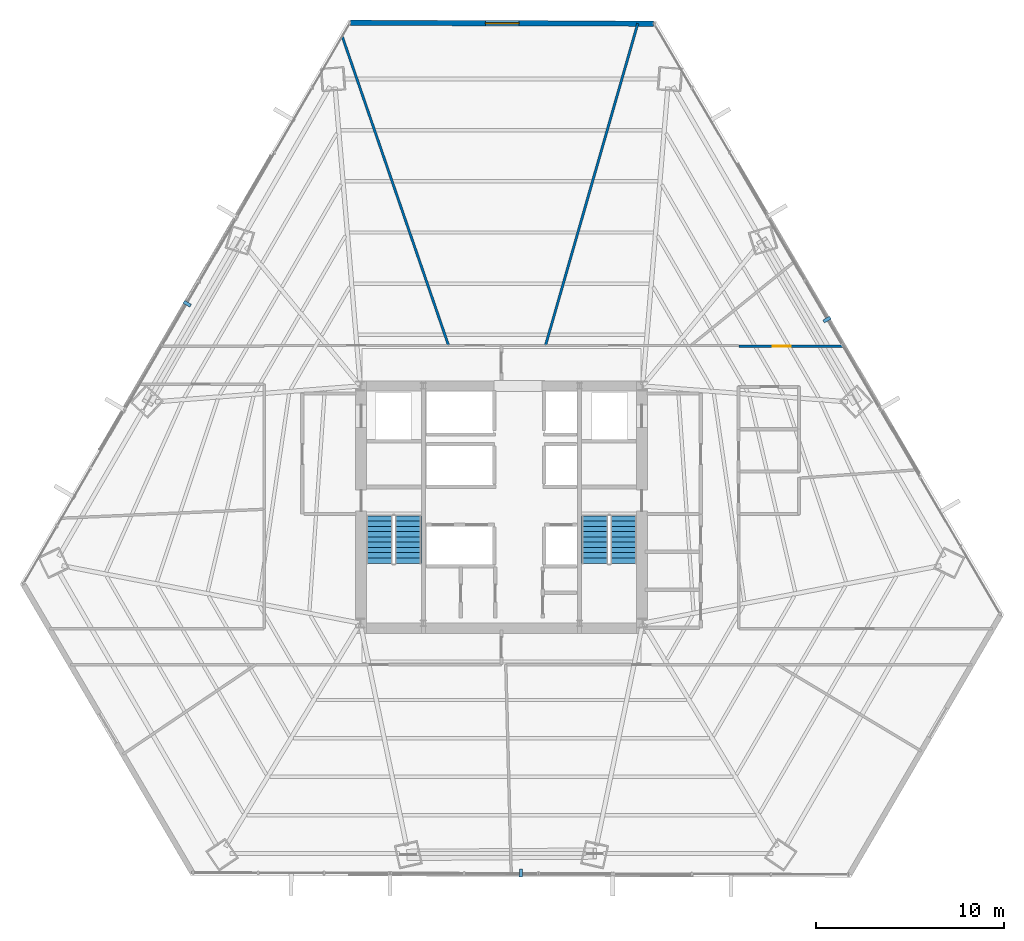
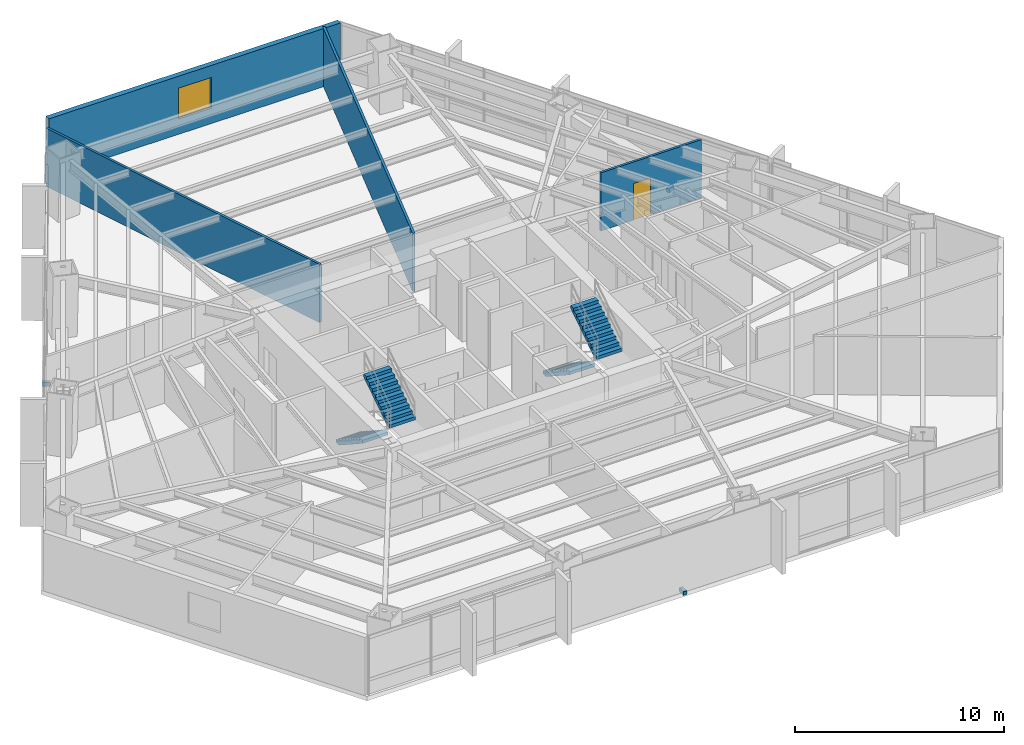
# One storey, part 30 of 33: 4 stair flights, 4 walls, 3 discrete accessories, 1 door, 1 window, 2 openings, 2 elements without a shape of their own.
"""IFC4 building model written with IfcOpenShell, lengths in metres."""

from ifc_helpers import new_model, si_unit, direction, frame, frame_2d, origin, origin_2d, place, context, subcontext, project, spatial, polyline, rectangle, outline, extrude, source, transform, mapped, material, layer, layer_set, type_object, type_shapes, element, fill, aggregate, save


model = new_model("IFC4")

# Units and contexts
model_context = context("Model", 3, precision=1e-05, world=origin(), true_north=direction((0.0, 1.0)))
body_context = subcontext(model_context, "Body", "Model", "MODEL_VIEW")
ifc_project = project(units=[si_unit("LENGTHUNIT", "METRE"), si_unit("AREAUNIT", "SQUARE_METRE"), si_unit("VOLUMEUNIT", "CUBIC_METRE"), si_unit("PLANEANGLEUNIT", "RADIAN"), si_unit("MASSUNIT", "GRAM", prefix="KILO")], contexts=[model_context])

# Site, building, storey
site_placement = place(None, origin())
site = spatial("IfcSite", under=ifc_project, at=site_placement, CompositionType="ELEMENT")
building_placement = place(site_placement, origin())
building = spatial("IfcBuilding", under=site, at=building_placement, Name="Caelisora Broadcast Tower", CompositionType="ELEMENT")
storey_placement = place(building_placement, frame((0.0, 0.0, 42.199951171875)))
storey = spatial("IfcBuildingStorey", under=building, at=storey_placement, Name="L10", CompositionType="ELEMENT", Elevation=42.199951171875)

# Wall, opening, window
ifc_material_1 = material(Name="Insulated Terracotta Spandrel Wall System", Category="masonry")
ifc_layer_1 = layer(ifc_material_1, 0.280029296875, Name="Insulated Terracotta Spandrel Wall System")
ifc_layer_set_1 = layer_set([ifc_layer_1], Name="Insulated Terracotta Spandrel Wall System")
wall_type_1 = type_object("IfcWallType", Name="EW1", PredefinedType="STANDARD", material=ifc_layer_set_1)
wall_1_placement = place(storey_placement, frame((29.993896484375, 49.288818359375, 0.0), z_axis=(0.0, 0.0, 1.0), x_axis=(0.999995974555, -0.002837406073, 0.0)))
wall_1 = element("IfcWall", 1, at=wall_1_placement, inside=storey, type_object=wall_type_1, Name="L10 exterior envelope wall EW1", PredefinedType="STANDARD", context=body_context, shape_type="SweptSolid", body=[
    extrude(rectangle(XDim=16.090087890625, YDim=0.280029296875, at=frame_2d((8.044921875, 0.0))), origin(), (0.0, 0.0, 1.0), 3.400146484375),
])
opening_1_placement = place(wall_1_placement, frame((7.14990234375, 0.0, 0.89990234375)))
opening_1 = element("IfcOpeningElement", 2, at=opening_1_placement, cuts=wall_1, Name="Opening W01", PredefinedType="OPENING", context=body_context, shape_type="SweptSolid", body=[
    extrude(rectangle(XDim=1.800048828125, YDim=1.800048828125, at=frame_2d((0.89990234375, 0.89990234375))), frame((0.0, 0.152099609375, 0.0), z_axis=(0.0, -1.0, 0.0), x_axis=(1.0, 0.0, 0.0)), (0.0, 0.0, 1.0), 0.303955078125),
])
ifc_material_2 = material(Name="Double Glazed Terracotta-Framed Vision Window", Category="glass")
window_type = type_object("IfcWindowType", Name="W01", PartitioningType="SINGLE_PANEL", PredefinedType="WINDOW", material=ifc_material_2)
window_placement = place(opening_1_placement, origin())
window = element("IfcWindow", 3, at=window_placement, inside=storey, type_object=window_type, Name="L10 window W01 (L10-WN-CH8)", OverallHeight=1.800048828125, OverallWidth=1.800048828125, PartitioningType="SINGLE_PANEL", PredefinedType="WINDOW", context=body_context, shape_type="SweptSolid", body=[
    extrude(rectangle(XDim=1.800048828125, YDim=1.800048828125, at=frame_2d((0.89990234375, 0.89990234375))), frame((0.0, 0.030029296875, 0.0), z_axis=(0.0, -1.0, 0.0), x_axis=(1.0, 0.0, 0.0)), (0.0, 0.0, 1.0), 0.06005859375),
])
fill(opening_1, window)

# Walls
ifc_material_3 = material(Name="Acoustic Steel-Stud Plasterboard Partition", Category="gypsum")
ifc_layer_2 = layer(ifc_material_3, 0.1298828125, Name="Acoustic Steel-Stud Plasterboard Partition")
ifc_layer_set_2 = layer_set([ifc_layer_2], Name="Acoustic Steel-Stud Plasterboard Partition")
wall_type_2 = type_object("IfcWallType", Name="PW3", PredefinedType="PARTITIONING", material=ifc_layer_set_2)
wall_2_placement = place(storey_placement, frame((40.341064453125, 32.155029296875, 0.0), z_axis=(0.0, 0.0, 1.0), x_axis=(0.275547812752, 0.961287367486, 0.0)))
element("IfcWall", 4, at=wall_2_placement, inside=storey, type_object=wall_type_2, Name="L10 internal partition PW3", PredefinedType="PARTITIONING", context=body_context, shape_type="SweptSolid", body=[
    extrude(rectangle(XDim=17.7841796875, YDim=0.1298828125, at=frame_2d((8.89208984375, 0.0))), origin(), (0.0, 0.0, 1.0), 3.400146484375),
])
wall_3_placement = place(storey_placement, frame((29.540771484375, 48.57177734375, 0.0), z_axis=(0.0, 0.0, 1.0), x_axis=(0.325283737288, -0.945616460441, 0.0)))
element("IfcWall", 5, at=wall_3_placement, inside=storey, type_object=wall_type_2, Name="L10 internal partition PW3", PredefinedType="PARTITIONING", context=body_context, shape_type="SweptSolid", body=[
    extrude(rectangle(XDim=17.36083984375, YDim=0.1298828125, at=frame_2d((8.680419921875, 0.0))), origin(), (0.0, 0.0, 1.0), 3.400146484375),
])

# Wall, opening, door
wall_4_placement = place(storey_placement, frame((50.60498046875, 32.10009765625, 0.0), z_axis=(0.0, 0.0, 1.0), x_axis=(1.0, 0.0, 0.0)))
wall_4 = element("IfcWall", 6, at=wall_4_placement, inside=storey, type_object=wall_type_2, Name="L10 internal partition PW3", PredefinedType="PARTITIONING", context=body_context, shape_type="SweptSolid", body=[
    extrude(rectangle(XDim=5.563720703125, YDim=0.1298828125, at=frame_2d((2.78173828125, 0.0))), origin(), (0.0, 0.0, 1.0), 3.400146484375),
])
opening_2_placement = place(wall_4_placement, frame((1.800048828125, 0.0, 0.0)))
opening_2 = element("IfcOpeningElement", 7, at=opening_2_placement, cuts=wall_4, Name="Opening D01", PredefinedType="OPENING", context=body_context, shape_type="SweptSolid", body=[
    extrude(rectangle(XDim=0.9599609375, YDim=2.14990234375, at=frame_2d((0.47998046875, 1.074951171875))), frame((0.0, 0.076904296875, 0.0), z_axis=(0.0, -1.0, 0.0), x_axis=(1.0, 0.0, 0.0)), (0.0, 0.0, 1.0), 0.15380859375),
])
ifc_material_4 = material(Name="Solid-Core Timber Acoustic Office Door", Category="wood")
door_type = type_object("IfcDoorType", Name="D01", OperationType="NOTDEFINED", PredefinedType="DOOR", material=ifc_material_4)
door_placement = place(opening_2_placement, origin())
door = element("IfcDoor", 8, at=door_placement, inside=storey, type_object=door_type, Name="L10 door D01 (L10-DR-P50D1)", OperationType="SINGLE_SWING_LEFT", OverallHeight=2.14990234375, OverallWidth=0.9599609375, PredefinedType="DOOR", context=body_context, shape_type="SweptSolid", body=[
    extrude(rectangle(XDim=0.9599609375, YDim=2.14990234375, at=frame_2d((0.47998046875, 1.074951171875))), frame((0.0, 0.02490234375, 0.0), z_axis=(0.0, -1.0, 0.0), x_axis=(1.0, 0.0, 0.0)), (0.0, 0.0, 1.0), 0.050048828125),
])
fill(opening_2, door)

# Stair, stair flights
ifc_material_5 = material(Name="Concrete 40 MPa (AS 3600 N40)", Category="concrete")
stair_type_1 = type_object("IfcStairType", Name="ST-1", PredefinedType="HALF_TURN_STAIR", material=ifc_material_5)
stair_1_placement = place(storey_placement, origin())
stair_1 = element("IfcStair", 9, at=stair_1_placement, inside=storey, type_object=stair_type_1, Name="L10 West Fire-Isolated Tower Stair", PredefinedType="HALF_TURN_STAIR")
stair_flight_type = type_object("IfcStairFlightType", Name="STF-2", PredefinedType="STRAIGHT", material=ifc_material_5)
stair_flight_1_placement = place(storey_placement, frame((31.52001953125, 23.10009765625, 0.0), z_axis=(0.0, 0.0, 1.0), x_axis=(0.0, -1.0, 0.0)))
stair_flight_1 = element("IfcStairFlight", 10, at=stair_flight_1_placement, type_object=stair_flight_type, Name="ST-1 flight 1", NumberOfRisers=10, NumberOfTreads=9, PredefinedType="STRAIGHT", RiserHeight=0.1825, TreadLength=0.28, context=body_context, shape_type="SweptSolid", body=[
    extrude(outline(polyline([(0.0, 0.0), (0.0, 0.1826171875), (0.280029296875, 0.1826171875), (0.280029296875, 0.364990234375), (0.56005859375, 0.364990234375), (0.56005859375, 0.547607421875), (0.840087890625, 0.547607421875), (0.840087890625, 0.72998046875), (1.1201171875, 0.72998046875), (1.1201171875, 0.91259765625), (1.39990234375, 0.91259765625), (1.39990234375, 1.094970703125), (1.679931640625, 1.094970703125), (1.679931640625, 1.277587890625), (1.9599609375, 1.277587890625), (1.9599609375, 1.4599609375), (2.239990234375, 1.4599609375), (2.239990234375, 1.642578125), (2.52001953125, 1.642578125), (2.52001953125, 1.824951171875), (2.52001953125, 1.463623046875), (0.2744140625, 0.0), (0.0, 0.0)])), frame((0.0, 0.699951171875, 0.0), z_axis=(0.0, -1.0, 0.0), x_axis=(1.0, 0.0, 0.0)), (0.0, 0.0, 1.0), 1.39990234375),
])
stair_flight_2_placement = place(storey_placement, frame((33.0400390625, 20.580078125, 1.824951171875), z_axis=(0.0, 0.0, 1.0), x_axis=(0.0, 1.0, 0.0)))
stair_flight_2 = element("IfcStairFlight", 11, at=stair_flight_2_placement, type_object=stair_flight_type, Name="ST-1 flight 2", NumberOfRisers=10, NumberOfTreads=9, PredefinedType="STRAIGHT", RiserHeight=0.1825, TreadLength=0.28, context=body_context, shape_type="SweptSolid", body=[
    extrude(outline(polyline([(0.0, 0.0), (0.0, 0.1826171875), (0.280029296875, 0.1826171875), (0.280029296875, 0.364990234375), (0.56005859375, 0.364990234375), (0.56005859375, 0.547607421875), (0.840087890625, 0.547607421875), (0.840087890625, 0.72998046875), (1.1201171875, 0.72998046875), (1.1201171875, 0.91259765625), (1.39990234375, 0.91259765625), (1.39990234375, 1.094970703125), (1.679931640625, 1.094970703125), (1.679931640625, 1.277587890625), (1.9599609375, 1.277587890625), (1.9599609375, 1.4599609375), (2.239990234375, 1.4599609375), (2.239990234375, 1.642578125), (2.52001953125, 1.642578125), (2.52001953125, 1.824951171875), (2.52001953125, 1.463623046875), (0.2744140625, 0.0), (0.0, 0.0)])), frame((0.0, 0.699951171875, 0.0), z_axis=(0.0, -1.0, 0.0), x_axis=(1.0, 0.0, 0.0)), (0.0, 0.0, 1.0), 1.39990234375),
])
aggregate(stair_1, [stair_flight_1, stair_flight_2])

stair_type_2 = type_object("IfcStairType", Name="ST-2", PredefinedType="HALF_TURN_STAIR", material=ifc_material_5)
stair_2_placement = place(storey_placement, origin())
stair_2 = element("IfcStair", 12, at=stair_2_placement, inside=storey, type_object=stair_type_2, Name="L10 East Fire-Isolated Tower Stair", PredefinedType="HALF_TURN_STAIR")
stair_flight_3_placement = place(storey_placement, frame((42.9599609375, 23.10009765625, 0.0), z_axis=(0.0, 0.0, 1.0), x_axis=(0.0, -1.0, 0.0)))
stair_flight_3 = element("IfcStairFlight", 13, at=stair_flight_3_placement, type_object=stair_flight_type, Name="ST-2 flight 1", NumberOfRisers=10, NumberOfTreads=9, PredefinedType="STRAIGHT", RiserHeight=0.1825, TreadLength=0.28, context=body_context, shape_type="SweptSolid", body=[
    extrude(outline(polyline([(0.0, 0.0), (0.0, 0.1826171875), (0.280029296875, 0.1826171875), (0.280029296875, 0.364990234375), (0.56005859375, 0.364990234375), (0.56005859375, 0.547607421875), (0.840087890625, 0.547607421875), (0.840087890625, 0.72998046875), (1.1201171875, 0.72998046875), (1.1201171875, 0.91259765625), (1.39990234375, 0.91259765625), (1.39990234375, 1.094970703125), (1.679931640625, 1.094970703125), (1.679931640625, 1.277587890625), (1.9599609375, 1.277587890625), (1.9599609375, 1.4599609375), (2.239990234375, 1.4599609375), (2.239990234375, 1.642578125), (2.52001953125, 1.642578125), (2.52001953125, 1.824951171875), (2.52001953125, 1.463623046875), (0.2744140625, 0.0), (0.0, 0.0)])), frame((0.0, 0.699951171875, 0.0), z_axis=(0.0, -1.0, 0.0), x_axis=(1.0, 0.0, 0.0)), (0.0, 0.0, 1.0), 1.39990234375),
])
stair_flight_4_placement = place(storey_placement, frame((44.47998046875, 20.580078125, 1.824951171875), z_axis=(0.0, 0.0, 1.0), x_axis=(0.0, 1.0, 0.0)))
stair_flight_4 = element("IfcStairFlight", 14, at=stair_flight_4_placement, type_object=stair_flight_type, Name="ST-2 flight 2", NumberOfRisers=10, NumberOfTreads=9, PredefinedType="STRAIGHT", RiserHeight=0.1825, TreadLength=0.28, context=body_context, shape_type="SweptSolid", body=[
    extrude(outline(polyline([(0.0, 0.0), (0.0, 0.1826171875), (0.280029296875, 0.1826171875), (0.280029296875, 0.364990234375), (0.56005859375, 0.364990234375), (0.56005859375, 0.547607421875), (0.840087890625, 0.547607421875), (0.840087890625, 0.72998046875), (1.1201171875, 0.72998046875), (1.1201171875, 0.91259765625), (1.39990234375, 0.91259765625), (1.39990234375, 1.094970703125), (1.679931640625, 1.094970703125), (1.679931640625, 1.277587890625), (1.9599609375, 1.277587890625), (1.9599609375, 1.4599609375), (2.239990234375, 1.4599609375), (2.239990234375, 1.642578125), (2.52001953125, 1.642578125), (2.52001953125, 1.824951171875), (2.52001953125, 1.463623046875), (0.2744140625, 0.0), (0.0, 0.0)])), frame((0.0, 0.699951171875, 0.0), z_axis=(0.0, -1.0, 0.0), x_axis=(1.0, 0.0, 0.0)), (0.0, 0.0, 1.0), 1.39990234375),
])
aggregate(stair_2, [stair_flight_3, stair_flight_4])

# Discrete accessories
ifc_material_6 = material(Name="Steel Grade 350 (AS/NZS 3679.1)", Category="steel")
discrete_accessory_type = type_object("IfcDiscreteAccessoryType", Name="BRK-1", PredefinedType="BRACKET", material=ifc_material_6)
shared_shape = source(origin(), body_context, "Body", "SweptSolid", [
    extrude(rectangle(XDim=0.179931640625, YDim=0.419921875, at=origin_2d()), origin(), (0.0, 0.0, 1.0), 0.219970703125),
])
type_shapes(discrete_accessory_type, [shared_shape])
for number, where, z_axis, x_axis, name in (
    (15, (21.306884765625, 34.365966796875, -0.16015625), (0.0, 0.0, 1.0), (-0.503321604797, -0.864099162217, 0.0), "L10 solar screen outrigger bracket #1"),
    (16, (39.034912109375, 4.12744140625, -0.16015625), (0.0, 0.0, 1.0), (0.9999961009, -0.002792523174, 0.0), "L10 solar screen outrigger bracket #2"),
    (17, (55.291748046875, 33.527099609375, -0.16015625), (0.0, 0.0, 1.0), (-0.505732659231, 0.862690255763, 0.0), "L10 solar screen outrigger bracket #3"),
):
    element("IfcDiscreteAccessory", number, at=place(storey_placement, frame(where, z_axis=z_axis, x_axis=x_axis)), inside=storey, type_object=discrete_accessory_type, Name=name, PredefinedType="BRACKET", context=body_context, shape_type="MappedRepresentation", body=[
        mapped(shared_shape, transform((0.0, 0.0, 0.0), scale=1.0)),
    ])

save(model, "model.ifc")
